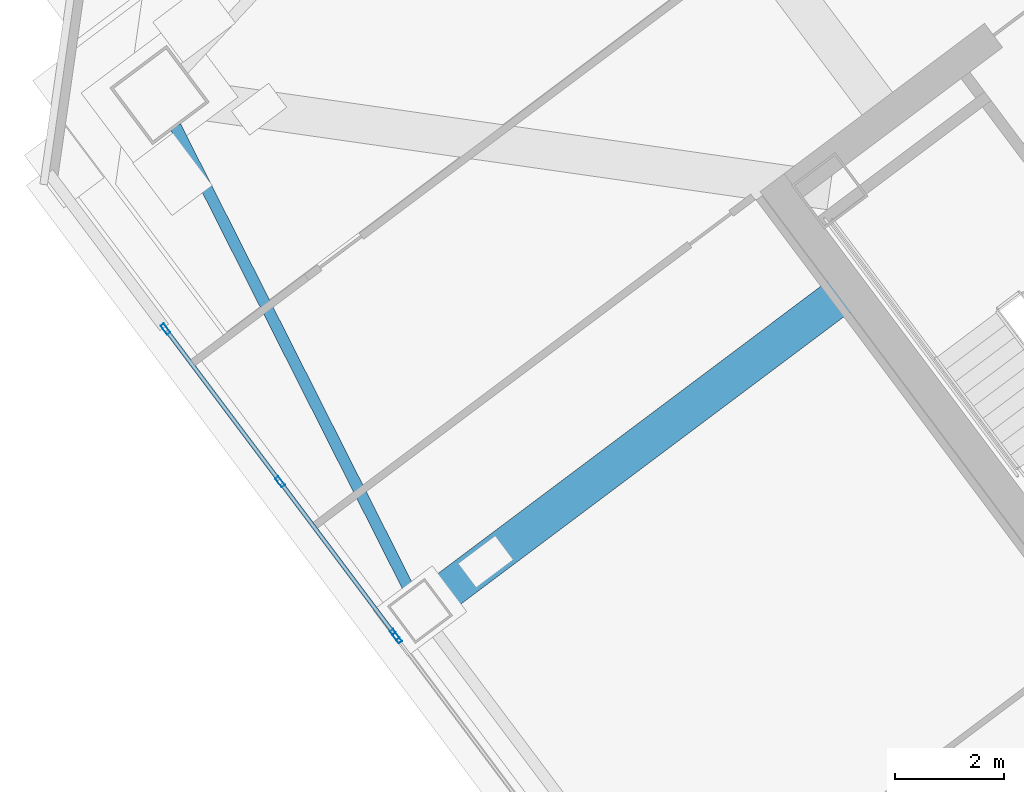
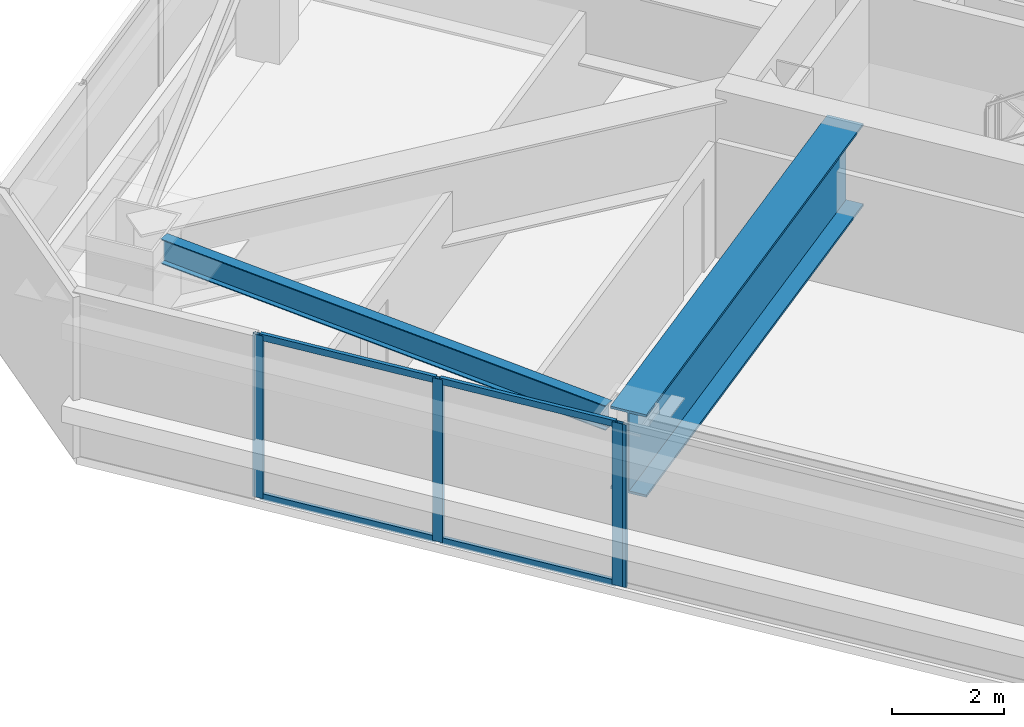
# One storey, part 20 of 42: 8 members, 2 beams, 2 elements without a shape of their own.
"""IFC4 building model written with IfcOpenShell, lengths in metres."""

from ifc_helpers import new_model, si_unit, direction, frame, origin, origin_2d, place, context, subcontext, project, spatial, hollow_rectangle, i_section, extrude, material, material_profile, profile_set, type_object, element, aggregate, save


model = new_model("IFC4")

# Units and contexts
model_context = context("Model", 3, precision=1e-05, world=origin(), true_north=direction((0.0, 1.0)))
body_context = subcontext(model_context, "Body", "Model", "MODEL_VIEW")
ifc_project = project(units=[si_unit("LENGTHUNIT", "METRE"), si_unit("AREAUNIT", "SQUARE_METRE"), si_unit("VOLUMEUNIT", "CUBIC_METRE"), si_unit("PLANEANGLEUNIT", "RADIAN"), si_unit("MASSUNIT", "GRAM", prefix="KILO")], contexts=[model_context])

# Site, building, storey
site_placement = place(None, origin())
site = spatial("IfcSite", under=ifc_project, at=site_placement, CompositionType="ELEMENT")
building_placement = place(site_placement, origin())
building = spatial("IfcBuilding", under=site, at=building_placement, Name="Tashvorn Skyway Center", CompositionType="ELEMENT")
storey_placement = place(building_placement, frame((0.0, 0.0, 153.449951171875)))
storey = spatial("IfcBuildingStorey", under=building, at=storey_placement, Name="L41", CompositionType="ELEMENT", Elevation=153.449951171875)

# Beams
ifc_material_1 = material(Name="Steel ASTM A572 Grade 50", Category="steel")
ifc_material_profile_1 = material_profile(ifc_material_1, i_section(OverallWidth=0.699951171875, OverallDepth=1.800048828125, WebThickness=0.031982421875, FlangeThickness=0.050048828125, at=origin_2d()), Name="PG1800x700")
ifc_profile_set_1 = profile_set([ifc_material_profile_1], Name="Steel ASTM A572 Grade 50")
beam_type_1 = type_object("IfcBeamType", Name="BM-BEAM-PG1800x700", PredefinedType="BEAM", material=ifc_profile_set_1)
beam_1_placement = place(storey_placement, frame((96.639892578125, 25.72998046875, 2.469970703125), z_axis=(0.799994063452, 0.600007915316, 0.0), x_axis=(-0.600007915316, 0.799994063452, 0.0)))
element("IfcBeam", 1, at=beam_1_placement, inside=storey, type_object=beam_type_1, Name="Tower 2 L41 Setback Transfer Girder FC-W1", PredefinedType="BEAM", context=body_context, shape_type="SweptSolid", body=[
    extrude(i_section(OverallWidth=0.699951171875, OverallDepth=1.800048828125, WebThickness=0.031982421875, FlangeThickness=0.050048828125, at=origin_2d()), origin(), (0.0, 0.0, 1.0), 9.8701171875),
])
ifc_material_2 = material(Name="Steel ASTM A992 Grade 50", Category="steel")
ifc_material_profile_2 = material_profile(ifc_material_2, i_section(OverallWidth=0.2109375, OverallDepth=0.5390625, WebThickness=0.01171875, FlangeThickness=0.018798828125, at=origin_2d()), Name="W21X73")
ifc_profile_set_2 = profile_set([ifc_material_profile_2], Name="Steel ASTM A992 Grade 50")
beam_type_2 = type_object("IfcBeamType", Name="BM-SPANDREL-W21X73", PredefinedType="SPANDREL", material=ifc_profile_set_2)
beam_2_placement = place(storey_placement, frame((92.170654296875, 34.584228515625, 3.1005859375), z_axis=(0.450613543136, -0.892719124217, 0.0), x_axis=(0.892719124217, 0.450613543136, 0.0)))
element("IfcBeam", 2, at=beam_2_placement, inside=storey, type_object=beam_type_2, Name="Tower 2 L41 Spandrel Beam 10", PredefinedType="SPANDREL", context=body_context, shape_type="SweptSolid", body=[
    extrude(i_section(OverallWidth=0.2109375, OverallDepth=0.5390625, WebThickness=0.01171875, FlangeThickness=0.018798828125, at=origin_2d()), origin(), (0.0, 0.0, 1.0), 9.498291015625),
])

# Curtain wall, member
ifc_material_3 = material(Name="Thermally broken bronze-anodized aluminium 6063-T6", Category="aluminium")
curtain_wall_type = type_object("IfcCurtainWallType", Name="CW-CW-Z3", PredefinedType="NOTDEFINED", material=ifc_material_3)
curtain_wall_1_placement = place(storey_placement, origin())
curtain_wall_1 = element("IfcCurtainWall", 3, at=curtain_wall_1_placement, inside=storey, type_object=curtain_wall_type, Name="Tower 2 L41 West Unitised Curtain Wall Glazing Group 2", PredefinedType="NOTDEFINED")
ifc_material_profile_3 = material_profile(ifc_material_3, hollow_rectangle(XDim=0.074951171875, YDim=0.199951171875, WallThickness=0.00439453125, at=origin_2d()), Name="ALU-MULL-75x200")
ifc_profile_set_3 = profile_set([ifc_material_profile_3], Name="Thermally broken bronze-anodized aluminium 6063-T6")
member_type_1 = type_object("IfcMemberType", Name="CWM-CW-Z3", PredefinedType="MULLION", material=ifc_profile_set_3)
member_1_placement = place(storey_placement, frame((96.222412109375, 25.23681640625, 0.0), z_axis=(0.0, 0.0, 1.0), x_axis=(-0.800002266987, -0.599996977339, 0.0)))
member_1 = element("IfcMember", 4, at=member_1_placement, type_object=member_type_1, Name="CW-Z3 mullion 2", PredefinedType="MULLION", context=body_context, shape_type="SweptSolid", body=[
    extrude(hollow_rectangle(XDim=0.074951171875, YDim=0.199951171875, WallThickness=0.00439453125, at=origin_2d()), origin(), (0.0, 0.0, 1.0), 3.550048828125),
])
aggregate(curtain_wall_1, [member_1])

# Curtain wall, members
curtain_wall_2_placement = place(storey_placement, origin())
curtain_wall_2 = element("IfcCurtainWall", 5, at=curtain_wall_2_placement, inside=storey, type_object=curtain_wall_type, Name="Tower 2 L41 West Unitised Curtain Wall Glazing Group 3", PredefinedType="NOTDEFINED")
member_2_placement = place(storey_placement, frame((96.177490234375, 25.296630859375, 0.0), z_axis=(0.0, 0.0, 1.0), x_axis=(-0.799996599484, -0.600004533995, 0.0)))
member_2 = element("IfcMember", 6, at=member_2_placement, type_object=member_type_1, Name="CW-Z3 mullion 1", PredefinedType="MULLION", context=body_context, shape_type="SweptSolid", body=[
    extrude(hollow_rectangle(XDim=0.074951171875, YDim=0.199951171875, WallThickness=0.00439453125, at=origin_2d()), origin(), (0.0, 0.0, 1.0), 3.550048828125),
])
member_3_placement = place(storey_placement, frame((94.082763671875, 28.08984375, 0.0), z_axis=(0.0, 0.0, 1.0), x_axis=(-0.799996599484, -0.600004533995, 0.0)))
member_3 = element("IfcMember", 7, at=member_3_placement, type_object=member_type_1, Name="CW-Z3 mullion 2", PredefinedType="MULLION", context=body_context, shape_type="SweptSolid", body=[
    extrude(hollow_rectangle(XDim=0.074951171875, YDim=0.199951171875, WallThickness=0.00439453125, at=origin_2d()), origin(), (0.0, 0.0, 1.0), 3.550048828125),
])
member_4_placement = place(storey_placement, frame((91.98779296875, 30.8828125, 0.0), z_axis=(0.0, 0.0, 1.0), x_axis=(-0.799996599484, -0.600004533995, 0.0)))
member_4 = element("IfcMember", 8, at=member_4_placement, type_object=member_type_1, Name="CW-Z3 mullion 3", PredefinedType="MULLION", context=body_context, shape_type="SweptSolid", body=[
    extrude(hollow_rectangle(XDim=0.074951171875, YDim=0.199951171875, WallThickness=0.00439453125, at=origin_2d()), origin(), (0.0, 0.0, 1.0), 3.550048828125),
])
ifc_material_profile_4 = material_profile(ifc_material_3, hollow_rectangle(XDim=0.074951171875, YDim=0.139892578125, WallThickness=0.004150390625, at=origin_2d()), Name="ALU-TRAN-75x140")
ifc_profile_set_4 = profile_set([ifc_material_profile_4], Name="Thermally broken bronze-anodized aluminium 6063-T6")
member_type_2 = type_object("IfcMemberType", Name="CWT-CW-Z3", PredefinedType="USERDEFINED", material=ifc_profile_set_4)
member_5_placement = place(storey_placement, frame((96.155029296875, 25.32666015625, 0.03759765625), z_axis=(-0.59998856614, 0.800008575267, 0.0), x_axis=(-0.800008575267, -0.59998856614, 0.0)))
member_5 = element("IfcMember", 9, at=member_5_placement, type_object=member_type_2, Name="CW-Z3 transom 1.1", ObjectType="TRANSOM", PredefinedType="USERDEFINED", context=body_context, shape_type="SweptSolid", body=[
    extrude(hollow_rectangle(XDim=0.074951171875, YDim=0.139892578125, WallThickness=0.004150390625, at=origin_2d()), origin(), (0.0, 0.0, 1.0), 3.41650390625),
])
member_6_placement = place(storey_placement, frame((96.155029296875, 25.32666015625, 3.512451171875), z_axis=(-0.59998856614, 0.800008575267, 0.0), x_axis=(-0.800008575267, -0.59998856614, 0.0)))
member_6 = element("IfcMember", 10, at=member_6_placement, type_object=member_type_2, Name="CW-Z3 transom 1.2", ObjectType="TRANSOM", PredefinedType="USERDEFINED", context=body_context, shape_type="SweptSolid", body=[
    extrude(hollow_rectangle(XDim=0.074951171875, YDim=0.139892578125, WallThickness=0.004150390625, at=origin_2d()), origin(), (0.0, 0.0, 1.0), 3.41650390625),
])
member_7_placement = place(storey_placement, frame((94.06005859375, 28.119873046875, 0.03759765625), z_axis=(-0.600022868659, 0.799982847995, 0.0), x_axis=(-0.799982847995, -0.600022868659, 0.0)))
member_7 = element("IfcMember", 11, at=member_7_placement, type_object=member_type_2, Name="CW-Z3 transom 2.1", ObjectType="TRANSOM", PredefinedType="USERDEFINED", context=body_context, shape_type="SweptSolid", body=[
    extrude(hollow_rectangle(XDim=0.074951171875, YDim=0.139892578125, WallThickness=0.004150390625, at=origin_2d()), origin(), (0.0, 0.0, 1.0), 3.416259765625),
])
member_8_placement = place(storey_placement, frame((94.06005859375, 28.119873046875, 3.512451171875), z_axis=(-0.600022868659, 0.799982847995, 0.0), x_axis=(-0.799982847995, -0.600022868659, 0.0)))
member_8 = element("IfcMember", 12, at=member_8_placement, type_object=member_type_2, Name="CW-Z3 transom 2.2", ObjectType="TRANSOM", PredefinedType="USERDEFINED", context=body_context, shape_type="SweptSolid", body=[
    extrude(hollow_rectangle(XDim=0.074951171875, YDim=0.139892578125, WallThickness=0.004150390625, at=origin_2d()), origin(), (0.0, 0.0, 1.0), 3.416259765625),
])
aggregate(curtain_wall_2, [member_2, member_3, member_4, member_5, member_6, member_7, member_8])

save(model, "model.ifc")
